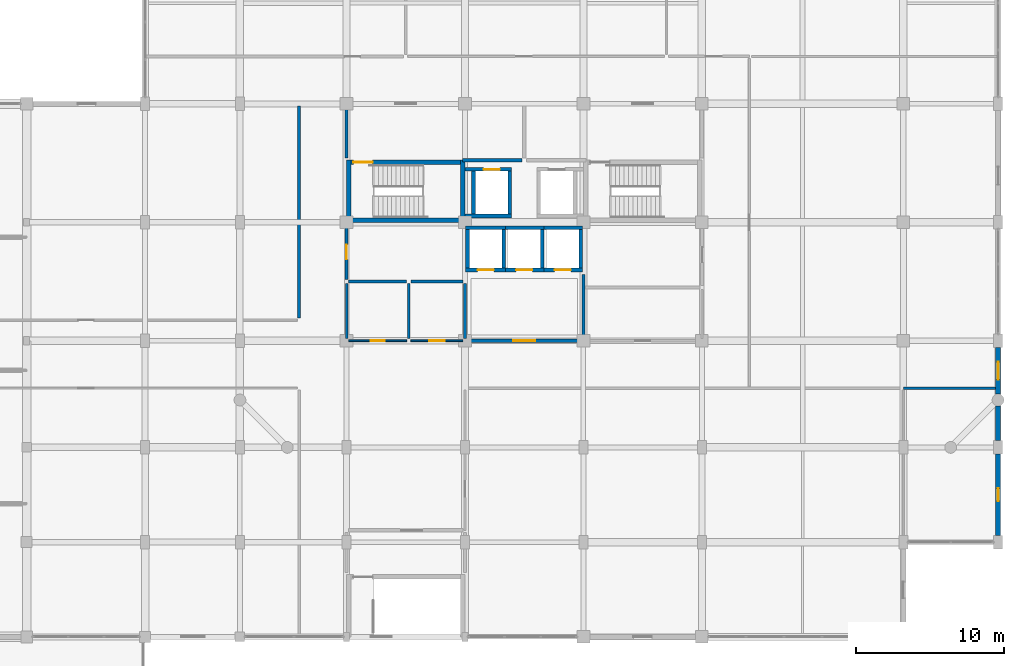
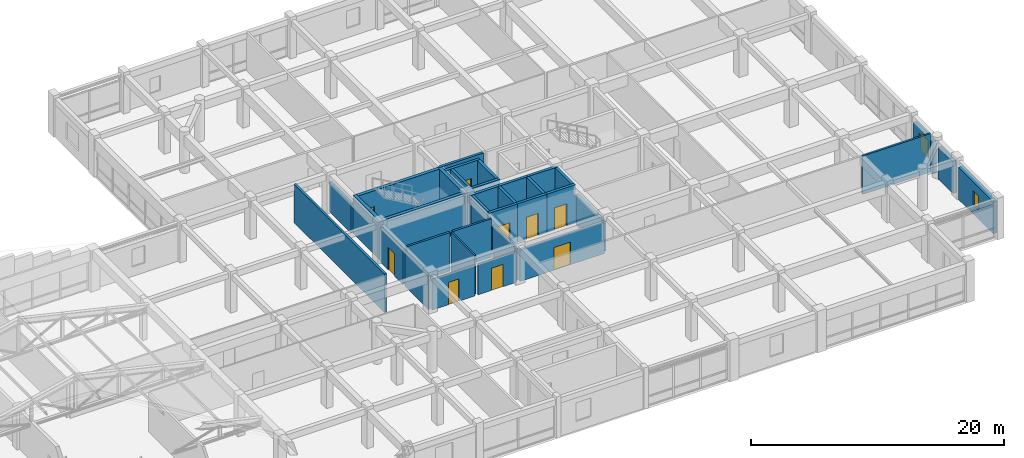
# One storey, part 22 of 27: 35 walls, 9 doors, 2 windows, 11 openings.
"""IFC4 building model written with IfcOpenShell, lengths in metres."""

import ifcopenshell
import ifcopenshell.guid

model = None  # the IFC model being written
_history = None  # IfcOwnerHistory: only IFC2X3 demands one
_inside = {}  # id of a spatial element -> (the spatial element, [elements in it])
_under = {}  # id of a project, library or spatial element -> (it, [spatial elements below it])
_declared = {}  # id of a project -> (the project, [libraries it declares])
_typed = {}  # id of a type object -> (the type object, [elements of that type])
_made_of = {}  # id of a material, layer set ... -> (it, [elements and type objects made of it])


def new_model(schema):
    """Start an empty IFC model of exactly this schema.

    Asked for "IFC4X3", IfcOpenShell would pick the latest addendum, in which some entities
    have other attributes; the version numbers below select the first issue.
    IFC2X3 requires an IfcOwnerHistory on every rooted entity: one is made here for all.
    """
    global model, _history
    if schema == "IFC4X3":
        model = ifcopenshell.file(schema_version=(4, 3, 0, 0))
    else:
        model = ifcopenshell.file(schema=schema)
    _inside.clear()
    _under.clear()
    _declared.clear()
    _typed.clear()
    _made_of.clear()
    _history = None
    if model.schema == "IFC2X3":
        org = make("IfcOrganization", Name="unknown")
        user = make(
            "IfcPersonAndOrganization",
            ThePerson=make("IfcPerson", FamilyName="unknown"),
            TheOrganization=org,
        )
        app = make(
            "IfcApplication",
            ApplicationDeveloper=org,
            Version="unknown",
            ApplicationFullName="unknown",
            ApplicationIdentifier="unknown",
        )
        _history = make(
            "IfcOwnerHistory",
            OwningUser=user,
            OwningApplication=app,
            ChangeAction="ADDED",
            CreationDate=0,
        )
    return model


def make(cls, **values):
    """One entity of the class cls with the attributes given. An attribute that is None is left unset."""
    return model.create_entity(
        cls, **{name: value for name, value in values.items() if value is not None}
    )


def rooted(cls, **values):
    """An entity with a GlobalId (a new one), such as an element, a storey or a relation."""
    return make(cls, GlobalId=ifcopenshell.guid.new(), OwnerHistory=_history, **values)


def si_unit(unit_type, name, prefix=None):
    """IfcSIUnit, for example si_unit("LENGTHUNIT", "METRE", prefix="MILLI")."""
    return make("IfcSIUnit", UnitType=unit_type, Prefix=prefix, Name=name)


def assignment(units):
    """IfcUnitAssignment: the units of a project."""
    return None if units is None else make("IfcUnitAssignment", Units=units)


def point(xyz):
    """IfcCartesianPoint."""
    return None if xyz is None else make("IfcCartesianPoint", Coordinates=xyz)


def direction(xyz):
    """IfcDirection."""
    return None if xyz is None else make("IfcDirection", DirectionRatios=xyz)


def frame(location, z_axis=None, x_axis=None):
    """IfcAxis2Placement3D, a coordinate frame: its origin and axes. An axis left out is left unset."""
    return make(
        "IfcAxis2Placement3D",
        Location=point(location),
        Axis=direction(z_axis),
        RefDirection=direction(x_axis),
    )


def frame_2d(location, x_axis=None):
    """IfcAxis2Placement2D, a coordinate frame in the plane: its origin and x axis."""
    return make(
        "IfcAxis2Placement2D", Location=point(location), RefDirection=direction(x_axis)
    )


def origin():
    """The frame at (0, 0, 0) with its axes left unset."""
    return frame((0.0, 0.0, 0.0))


def place(relative_to, where):
    """IfcLocalPlacement: puts the frame where relative to a parent placement (None: the world)."""
    return make(
        "IfcLocalPlacement", PlacementRelTo=relative_to, RelativePlacement=where
    )


def context(
    kind, dimensions, precision=None, world=None, true_north=None, identifier=None
):
    """IfcGeometricRepresentationContext, for example the 3D "Model" context."""
    return make(
        "IfcGeometricRepresentationContext",
        ContextIdentifier=identifier,
        ContextType=kind,
        CoordinateSpaceDimension=dimensions,
        Precision=precision,
        WorldCoordinateSystem=world,
        TrueNorth=true_north,
    )


def subcontext(parent, identifier, kind, view, scale=None):
    """IfcGeometricRepresentationSubContext, for example "Body" below "Model"."""
    return make(
        "IfcGeometricRepresentationSubContext",
        ContextIdentifier=identifier,
        ContextType=kind,
        ParentContext=parent,
        TargetScale=scale,
        TargetView=view,
    )


def project(units=None, contexts=None):
    """IfcProject with its units and contexts."""
    return rooted(
        "IfcProject",
        Name="project",
        RepresentationContexts=contexts,
        UnitsInContext=assignment(units),
    )


def spatial(cls, under=None, at=None, **own):
    """A site, building, storey or space (cls), placed at a placement, below another one or the project."""
    s = rooted(cls, ObjectPlacement=at, **own)
    if under is not None:
        _under.setdefault(under.id(), (under, []))[1].append(s)
    return s


def profile(cls, at=None, kind="AREA", **sizes):
    """A parametric profile (cls). Its sizes go by their IFC names, for example OverallWidth=200.0."""
    return make(cls, ProfileType=kind, Position=at, **sizes)


def rectangle(**sizes):
    """IfcRectangleProfileDef."""
    return profile("IfcRectangleProfileDef", **sizes)


def extrude(swept, where, along, depth):
    """IfcExtrudedAreaSolid: the profile swept, set in the frame where, extruded along a direction by depth."""
    return make(
        "IfcExtrudedAreaSolid",
        SweptArea=swept,
        Position=where,
        ExtrudedDirection=direction(along),
        Depth=depth,
    )


def shape(context_of_items, identifier, shape_type, items):
    """IfcShapeRepresentation: the items that make up one representation, for example the "Body"."""
    return make(
        "IfcShapeRepresentation",
        ContextOfItems=context_of_items,
        RepresentationIdentifier=identifier,
        RepresentationType=shape_type,
        Items=items,
    )


def material(Name=None, Category=None):
    """IfcMaterial."""
    return make("IfcMaterial", Name=Name, Category=Category)


def layer(
    of_material, thickness, ventilated=None, Name=None, Category=None, Priority=None
):
    """IfcMaterialLayer: one layer of a wall or slab, of a material (None: an air gap)."""
    return make(
        "IfcMaterialLayer",
        Material=of_material,
        LayerThickness=thickness,
        IsVentilated=ventilated,
        Name=Name,
        Category=Category,
        Priority=Priority,
    )


def layer_set(layers, Name=None):
    """IfcMaterialLayerSet."""
    return make("IfcMaterialLayerSet", MaterialLayers=layers, LayerSetName=Name)


def made_of(thing, what):
    """Note that an element or type object is made of a material, layer set ...; save() writes the relation."""
    if what is not None:
        _made_of.setdefault(what.id(), (what, []))[1].append(thing)
    return thing


def type_object(cls, material=None, **own):
    """A type object (cls), such as IfcWallType, which elements share."""
    return made_of(rooted(cls, **own), material)


def element(
    cls,
    number,
    at=None,
    inside=None,
    cuts=None,
    type_object=None,
    material=None,
    context=None,
    identifier="Body",
    shape_type=None,
    held_by="IfcProductDefinitionShape",
    body=None,
    shapes=None,
    **own,
):
    """One element of the class cls, such as IfcWall. Its Tag is "e" and its number.

    at: its placement. inside: the storey or other place that contains it. cuts: it is an
    opening in that element (IfcRelVoidsElement). A single representation is given by context,
    identifier, shape_type and body (its items); several are given by shapes. held_by: the class
    of the entity that holds the representations. save() writes the other relations.
    """
    e = rooted(cls, Tag="e%d" % number, ObjectPlacement=at, **own)
    if body is not None:
        shapes = [shape(context, identifier, shape_type, body)]
    if shapes is not None:
        e.Representation = make(held_by, Representations=shapes)
    if inside is not None:
        _inside.setdefault(inside.id(), (inside, []))[1].append(e)
    if cuts is not None:
        rooted(
            "IfcRelVoidsElement", RelatingBuildingElement=cuts, RelatedOpeningElement=e
        )
    if type_object is not None:
        _typed.setdefault(type_object.id(), (type_object, []))[1].append(e)
    return made_of(e, material)


def fill(opening, filler):
    """IfcRelFillsElement: the door or window that sits in an opening."""
    return rooted(
        "IfcRelFillsElement",
        RelatingOpeningElement=opening,
        RelatedBuildingElement=filler,
    )


def aggregate(whole, parts):
    """IfcRelAggregates: a whole, such as a stair, and the parts it consists of."""
    return rooted("IfcRelAggregates", RelatingObject=whole, RelatedObjects=parts)


def save(model, path):
    """Write the relations noted so far, then the file.

    IfcRelAggregates (storeys below a building ...), IfcRelContainedInSpatialStructure (elements
    in a storey), IfcRelDefinesByType, IfcRelAssociatesMaterial and IfcRelDeclares: one each for
    every whole, place, type object, material and project.
    """
    for whole, parts in _under.values():
        aggregate(whole, parts)
    for where, things in _inside.values():
        rooted(
            "IfcRelContainedInSpatialStructure",
            RelatedElements=things,
            RelatingStructure=where,
        )
    for kind, things in _typed.values():
        rooted("IfcRelDefinesByType", RelatedObjects=things, RelatingType=kind)
    for what, things in _made_of.values():
        rooted("IfcRelAssociatesMaterial", RelatedObjects=things, RelatingMaterial=what)
    for by, libraries in _declared.values():
        rooted("IfcRelDeclares", RelatingContext=by, RelatedDefinitions=libraries)
    model.write(path)


model = new_model("IFC4")

# Units and contexts
model_context = context("Model", 3, precision=1e-05, world=origin(), true_north=direction((0.0, 1.0)))
body_context = subcontext(model_context, "Body", "Model", "MODEL_VIEW")
ifc_project = project(units=[si_unit("LENGTHUNIT", "METRE"), si_unit("AREAUNIT", "SQUARE_METRE"), si_unit("VOLUMEUNIT", "CUBIC_METRE"), si_unit("PLANEANGLEUNIT", "RADIAN"), si_unit("MASSUNIT", "GRAM", prefix="KILO")], contexts=[model_context])

# Site, building, storey
site_placement = place(None, origin())
site = spatial("IfcSite", under=ifc_project, at=site_placement, CompositionType="ELEMENT")
building_placement = place(site_placement, origin())
building = spatial("IfcBuilding", under=site, at=building_placement, Name="Vellmiral Cinema and Media Centre", CompositionType="ELEMENT")
storey_placement = place(building_placement, frame((0.0, 0.0, 19.800048828125)))
storey = spatial("IfcBuildingStorey", under=building, at=storey_placement, Name="L04", CompositionType="ELEMENT", Elevation=19.800048828125)

# Wall, opening, door
ifc_material_1 = material(Name="Concrete C40/50", Category="concrete")
ifc_layer_1 = layer(ifc_material_1, 0.2099609375, Name="Concrete C40/50")
ifc_layer_set_1 = layer_set([ifc_layer_1], Name="Concrete C40/50")
wall_type_1 = type_object("IfcWallType", Name="WL-COMP-210", PredefinedType="SOLIDWALL", material=ifc_layer_set_1)
wall_1_placement = place(storey_placement, frame((124.0, 83.340087890625, 0.0), z_axis=(0.0, 0.0, 1.0), x_axis=(0.0, 1.0, 0.0)))
wall_1 = element("IfcWall", 1, at=wall_1_placement, inside=storey, type_object=wall_type_1, Name="Electrical and Telecom Riser Room Wall W", PredefinedType="SOLIDWALL", context=body_context, shape_type="SweptSolid", body=[
    extrude(rectangle(XDim=3.719970703125, YDim=0.2099609375, at=frame_2d((1.85986328125, 0.0))), origin(), (0.0, 0.0, 1.0), 3.244873046875),
])
opening_1_placement = place(wall_1_placement, frame((1.360107421875, 0.0, 0.0)))
opening_1 = element("IfcOpeningElement", 2, at=opening_1_placement, cuts=wall_1, Name="Opening D-FD30B", PredefinedType="OPENING", context=body_context, shape_type="SweptSolid", body=[
    extrude(rectangle(XDim=1.0, YDim=2.14990234375, at=frame_2d((0.5, 1.074951171875))), frame((0.0, 0.116943359375, 0.0), z_axis=(0.0, -1.0, 0.0), x_axis=(1.0, 0.0, 0.0)), (0.0, 0.0, 1.0), 0.23388671875),
])
ifc_material_2 = material(Name="Steel Riser Fire Door", Category="steel")
door_type_1 = type_object("IfcDoorType", Name="DR-FD30-1000x2150", OperationType="NOTDEFINED", PredefinedType="DOOR", material=ifc_material_2)
door_1_placement = place(opening_1_placement, frame((1.0, 0.0, 0.0), z_axis=(0.0, 0.0, 1.0), x_axis=(-1.0, 0.0, 0.0)))
door_1 = element("IfcDoor", 3, at=door_1_placement, inside=storey, type_object=door_type_1, Name="Electrical and Telecom Riser Room Door", OperationType="SINGLE_SWING_LEFT", OverallHeight=2.14990234375, OverallWidth=1.0, PredefinedType="DOOR", context=body_context, shape_type="SweptSolid", body=[
    extrude(rectangle(XDim=1.0, YDim=2.14990234375, at=frame_2d((0.5, 1.074951171875))), frame((0.0, 0.02490234375, 0.0), z_axis=(0.0, -1.0, 0.0), x_axis=(1.0, 0.0, 0.0)), (0.0, 0.0, 1.0), 0.050048828125),
])
fill(opening_1, door_1)

# Walls
ifc_material_3 = material(Name="Concrete C40/50", Category="concrete")
ifc_layer_2 = layer(ifc_material_3, 0.300048828125, Name="Concrete C40/50")
ifc_layer_set_2 = layer_set([ifc_layer_2], Name="Concrete C40/50")
wall_type_2 = type_object("IfcWallType", Name="WL-CORE-300", PredefinedType="SHEAR", material=ifc_layer_set_2)
for number, where, z_axis, x_axis, name in (
    (4, (124.14990234375, 87.199951171875, 0.0), (0.0, 0.0, 1.0), (0.0, 1.0, 0.0), "Stair Core Wall ST-T1 L04-W"),
    (5, (131.85009765625, 87.199951171875, 0.0), (0.0, 0.0, 1.0), (0.0, 1.0, 0.0), "Stair Core Wall ST-T1 L04-E"),
):
    element("IfcWall", number, at=place(storey_placement, frame(where, z_axis=z_axis, x_axis=x_axis)), inside=storey, type_object=wall_type_2, Name=name, PredefinedType="SHEAR", context=body_context, shape_type="SweptSolid", body=[
        extrude(rectangle(XDim=4.199951171875, YDim=0.300048828125, at=frame_2d((2.10009765625, 0.0))), origin(), (0.0, 0.0, 1.0), 3.719970703125),
    ])
wall_2_placement = place(storey_placement, frame((124.300048828125, 87.35009765625, 0.0), z_axis=(0.0, 0.0, 1.0), x_axis=(1.0, 0.0, 0.0)))
element("IfcWall", 6, at=wall_2_placement, inside=storey, type_object=wall_type_2, Name="Stair Core Wall ST-T1 L04-S", PredefinedType="SHEAR", context=body_context, shape_type="SweptSolid", body=[
    extrude(rectangle(XDim=7.39990234375, YDim=0.300048828125, at=frame_2d((3.699951171875, 0.0))), origin(), (0.0, 0.0, 1.0), 3.719970703125),
])

# Wall, opening, door
wall_3_placement = place(storey_placement, frame((124.300048828125, 91.25, 0.0), z_axis=(0.0, 0.0, 1.0), x_axis=(1.0, 0.0, 0.0)))
wall_3 = element("IfcWall", 7, at=wall_3_placement, inside=storey, type_object=wall_type_2, Name="Stair Core Wall ST-T1 L04-N", PredefinedType="SHEAR", context=body_context, shape_type="SweptSolid", body=[
    extrude(rectangle(XDim=7.39990234375, YDim=0.300048828125, at=frame_2d((3.699951171875, 0.0))), origin(), (0.0, 0.0, 1.0), 3.719970703125),
])
opening_2_placement = place(wall_3_placement, frame((0.159912109375, 0.0, 0.0)))
opening_2 = element("IfcOpeningElement", 8, at=opening_2_placement, cuts=wall_3, Name="Opening D-FD30A", PredefinedType="OPENING", context=body_context, shape_type="SweptSolid", body=[
    extrude(rectangle(XDim=1.300048828125, YDim=2.179931640625, at=frame_2d((0.64990234375, 1.08984375))), frame((0.0, 0.162109375, 0.0), z_axis=(0.0, -1.0, 0.0), x_axis=(1.0, 0.0, 0.0)), (0.0, 0.0, 1.0), 0.323974609375),
])
ifc_material_4 = material(Name="Steel Stair Fire Door", Category="steel")
door_type_2 = type_object("IfcDoorType", Name="DR-FD30-1300x2180", OperationType="NOTDEFINED", PredefinedType="DOOR", material=ifc_material_4)
door_2_placement = place(opening_2_placement, frame((1.300048828125, 0.0, 0.0), z_axis=(0.0, 0.0, 1.0), x_axis=(-1.0, 0.0, 0.0)))
door_2 = element("IfcDoor", 9, at=door_2_placement, inside=storey, type_object=door_type_2, Name="Protected Stair Door ST-T1 L04", OperationType="SINGLE_SWING_RIGHT", OverallHeight=2.179931640625, OverallWidth=1.300048828125, PredefinedType="DOOR", context=body_context, shape_type="SweptSolid", body=[
    extrude(rectangle(XDim=1.300048828125, YDim=2.179931640625, at=frame_2d((0.64990234375, 1.08984375))), frame((0.0, 0.02490234375, 0.0), z_axis=(0.0, -1.0, 0.0), x_axis=(1.0, 0.0, 0.0)), (0.0, 0.0, 1.0), 0.050048828125),
])
fill(opening_2, door_2)

# Wall
ifc_material_5 = material(Name="Polychrome Glazed Ceramic Cladding", Category="masonry")
ifc_layer_3 = layer(ifc_material_5, 0.320068359375, Name="Polychrome Glazed Ceramic Cladding")
ifc_layer_set_3 = layer_set([ifc_layer_3], Name="Polychrome Glazed Ceramic Cladding")
wall_type_3 = type_object("IfcWallType", Name="WL-EXT-BRICK-320", PredefinedType="SOLIDWALL", material=ifc_layer_set_3)
wall_4_placement = place(storey_placement, frame((168.0, 72.449951171875, 0.0), z_axis=(0.0, 0.0, 1.0), x_axis=(0.0, 1.0, 0.0)))
element("IfcWall", 10, at=wall_4_placement, inside=storey, type_object=wall_type_3, Name="Exterior Facade Wall L04-013", PredefinedType="SOLIDWALL", context=body_context, shape_type="SweptSolid", body=[
    extrude(rectangle(XDim=2.35009765625, YDim=0.320068359375, at=frame_2d((1.175048828125, 0.0))), origin(), (0.0, 0.0, 1.0), 3.0849609375),
])

# Wall, opening, window
ifc_material_6 = material(Name="Vosges Red Sandstone Masonry", Category="masonry")
ifc_layer_4 = layer(ifc_material_6, 0.340087890625, Name="Vosges Red Sandstone Masonry")
ifc_layer_set_4 = layer_set([ifc_layer_4], Name="Vosges Red Sandstone Masonry")
wall_type_4 = type_object("IfcWallType", Name="WL-EXT-SAND-340", PredefinedType="SOLIDWALL", material=ifc_layer_set_4)
wall_5_placement = place(storey_placement, frame((168.0, 66.050048828125, 0.0), z_axis=(0.0, 0.0, 1.0), x_axis=(0.0, 1.0, 0.0)))
wall_5 = element("IfcWall", 11, at=wall_5_placement, inside=storey, type_object=wall_type_4, Name="Exterior Facade Wall L04-012", PredefinedType="SOLIDWALL", context=body_context, shape_type="SweptSolid", body=[
    extrude(rectangle(XDim=5.5, YDim=0.340087890625, at=frame_2d((2.75, 0.0))), origin(), (0.0, 0.0, 1.0), 3.099853515625),
])
opening_3_placement = place(wall_5_placement, frame((2.324951171875, 0.0, 0.89990234375)))
opening_3 = element("IfcOpeningElement", 12, at=opening_3_placement, cuts=wall_5, Name="Opening WN-13", PredefinedType="OPENING", context=body_context, shape_type="SweptSolid", body=[
    extrude(rectangle(XDim=0.85009765625, YDim=1.35009765625, at=frame_2d((0.425048828125, 0.675048828125))), frame((0.0, 0.18212890625, 0.0), z_axis=(0.0, -1.0, 0.0), x_axis=(1.0, 0.0, 0.0)), (0.0, 0.0, 1.0), 0.364013671875),
])
ifc_material_7 = material(Name="Thermally Broken Aluminium Triple Glazing", Category="aluminium")
window_type_1 = type_object("IfcWindowType", Name="WN-0850x1350", PartitioningType="SINGLE_PANEL", PredefinedType="WINDOW", material=ifc_material_7)
window_1_placement = place(opening_3_placement, origin())
window_1 = element("IfcWindow", 13, at=window_1_placement, inside=storey, type_object=window_type_1, Name="Window L04-012", OverallHeight=1.35009765625, OverallWidth=0.85009765625, PartitioningType="SINGLE_PANEL", PredefinedType="WINDOW", context=body_context, shape_type="SweptSolid", body=[
    extrude(rectangle(XDim=0.85009765625, YDim=1.35009765625, at=frame_2d((0.425048828125, 0.675048828125))), frame((0.0, 0.030029296875, 0.0), z_axis=(0.0, -1.0, 0.0), x_axis=(1.0, 0.0, 0.0)), (0.0, 0.0, 1.0), 0.06005859375),
])
fill(opening_3, window_1)

wall_6_placement = place(storey_placement, frame((168.0, 75.60009765625, 0.0), z_axis=(0.0, 0.0, 1.0), x_axis=(0.0, 1.0, 0.0)))
wall_6 = element("IfcWall", 14, at=wall_6_placement, inside=storey, type_object=wall_type_4, Name="Exterior Facade Wall L04-014", PredefinedType="SOLIDWALL", context=body_context, shape_type="SweptSolid", body=[
    extrude(rectangle(XDim=3.14990234375, YDim=0.340087890625, at=frame_2d((1.574951171875, 0.0))), origin(), (0.0, 0.0, 1.0), 3.0849609375),
])
opening_4_placement = place(wall_6_placement, frame((0.97509765625, 0.0, 0.89990234375)))
opening_4 = element("IfcOpeningElement", 15, at=opening_4_placement, cuts=wall_6, Name="Opening WN-10", PredefinedType="OPENING", context=body_context, shape_type="SweptSolid", body=[
    extrude(rectangle(XDim=1.199951171875, YDim=1.699951171875, at=frame_2d((0.60009765625, 0.85009765625))), frame((0.0, 0.18212890625, 0.0), z_axis=(0.0, -1.0, 0.0), x_axis=(1.0, 0.0, 0.0)), (0.0, 0.0, 1.0), 0.364013671875),
])
ifc_material_8 = material(Name="Thermally Broken Aluminium Triple Glazing", Category="aluminium")
window_type_2 = type_object("IfcWindowType", Name="WN-1200x1700", PartitioningType="SINGLE_PANEL", PredefinedType="WINDOW", material=ifc_material_8)
window_2_placement = place(opening_4_placement, origin())
window_2 = element("IfcWindow", 16, at=window_2_placement, inside=storey, type_object=window_type_2, Name="Window L04-014", OverallHeight=1.699951171875, OverallWidth=1.199951171875, PartitioningType="SINGLE_PANEL", PredefinedType="WINDOW", context=body_context, shape_type="SweptSolid", body=[
    extrude(rectangle(XDim=1.199951171875, YDim=1.699951171875, at=frame_2d((0.60009765625, 0.85009765625))), frame((0.0, 0.030029296875, 0.0), z_axis=(0.0, -1.0, 0.0), x_axis=(1.0, 0.0, 0.0)), (0.0, 0.0, 1.0), 0.06005859375),
])
fill(opening_4, window_2)

# Walls
ifc_material_9 = material(Name="Concrete C40/50", Category="concrete")
ifc_layer_5 = layer(ifc_material_9, 0.22998046875, Name="Concrete C40/50")
ifc_layer_set_5 = layer_set([ifc_layer_5], Name="Concrete C40/50")
wall_type_5 = type_object("IfcWallType", Name="WL-FFL-230", PredefinedType="SOLIDWALL", material=ifc_layer_set_5)
wall_7_placement = place(storey_placement, frame((131.840087890625, 91.39990234375, 0.0), z_axis=(0.0, 0.0, 1.0), x_axis=(1.0, 0.0, 0.0)))
element("IfcWall", 17, at=wall_7_placement, inside=storey, type_object=wall_type_5, Name="Firefighting Lobby West Wall S", PredefinedType="SOLIDWALL", context=body_context, shape_type="SweptSolid", body=[
    extrude(rectangle(XDim=4.02001953125, YDim=0.22998046875, at=frame_2d((2.010009765625, 0.0))), origin(), (0.0, 0.0, 1.0), 3.719970703125),
])
wall_8_placement = place(storey_placement, frame((124.0, 91.5400390625, 0.0), z_axis=(0.0, 0.0, 1.0), x_axis=(0.0, 1.0, 0.0)))
element("IfcWall", 18, at=wall_8_placement, inside=storey, type_object=wall_type_5, Name="Firefighting Lobby West Wall W", PredefinedType="SOLIDWALL", context=body_context, shape_type="SweptSolid", body=[
    extrude(rectangle(XDim=3.52001953125, YDim=0.22998046875, at=frame_2d((1.760009765625, 0.0))), origin(), (0.0, 0.0, 1.0), 2.844970703125),
])

# Wall, opening, door
wall_9_placement = place(storey_placement, frame((132.139892578125, 79.199951171875, 0.0), z_axis=(0.0, 0.0, 1.0), x_axis=(1.0, 0.0, 0.0)))
wall_9 = element("IfcWall", 19, at=wall_9_placement, inside=storey, type_object=wall_type_5, Name="Tower Passenger Lift Lobby Wall S", PredefinedType="SOLIDWALL", context=body_context, shape_type="SweptSolid", body=[
    extrude(rectangle(XDim=7.72021484375, YDim=0.22998046875, at=frame_2d((3.860107421875, 0.0))), origin(), (0.0, 0.0, 1.0), 3.044921875),
])
opening_5_placement = place(wall_9_placement, frame((3.110107421875, 0.0, 0.0)))
opening_5 = element("IfcOpeningElement", 20, at=opening_5_placement, cuts=wall_9, Name="Opening D-FD30", PredefinedType="OPENING", context=body_context, shape_type="SweptSolid", body=[
    extrude(rectangle(XDim=1.5, YDim=2.199951171875, at=frame_2d((0.75, 1.10009765625))), frame((0.0, 0.126953125, 0.0), z_axis=(0.0, -1.0, 0.0), x_axis=(1.0, 0.0, 0.0)), (0.0, 0.0, 1.0), 0.25390625),
])
ifc_material_10 = material(Name="Timber-Core Fire Door", Category="wood")
door_type_3 = type_object("IfcDoorType", Name="DR-FD30-1500x2200", OperationType="DOUBLE_DOOR_SINGLE_SWING", PredefinedType="DOOR", material=ifc_material_10)
door_3_placement = place(opening_5_placement, frame((1.5, 0.0, 0.0), z_axis=(0.0, 0.0, 1.0), x_axis=(-1.0, 0.0, 0.0)))
door_3 = element("IfcDoor", 21, at=door_3_placement, inside=storey, type_object=door_type_3, Name="Tower Passenger Lift Lobby Door", OperationType="DOUBLE_DOOR_SINGLE_SWING", OverallHeight=2.199951171875, OverallWidth=1.5, PredefinedType="DOOR", context=body_context, shape_type="SweptSolid", body=[
    extrude(rectangle(XDim=1.5, YDim=2.199951171875, at=frame_2d((0.75, 1.10009765625))), frame((0.0, 0.02490234375, 0.0), z_axis=(0.0, -1.0, 0.0), x_axis=(1.0, 0.0, 0.0)), (0.0, 0.0, 1.0), 0.050048828125),
])
fill(opening_5, door_3)

# Wall
wall_10_placement = place(storey_placement, frame((140.0, 79.340087890625, 0.0), z_axis=(0.0, 0.0, 1.0), x_axis=(0.0, 1.0, 0.0)))
element("IfcWall", 22, at=wall_10_placement, inside=storey, type_object=wall_type_5, Name="Tower Passenger Lift Lobby Wall E", PredefinedType="SOLIDWALL", context=body_context, shape_type="SweptSolid", body=[
    extrude(rectangle(XDim=4.31982421875, YDim=0.22998046875, at=frame_2d((2.159912109375, 0.0))), origin(), (0.0, 0.0, 1.0), 2.945068359375),
])

# Wall, opening, door
ifc_material_11 = material(Name="Gypsum Plasterboard")
ifc_layer_6 = layer(ifc_material_11, 0.02490234375, Name="Gypsum Plasterboard", Category="gypsum")
ifc_material_12 = material(Name="Mineral Wool Acoustic Insulation", Category="insulation")
ifc_layer_7 = layer(ifc_material_12, 0.06005859375, Name="Mineral Wool Acoustic Insulation", Category="insulation")
ifc_layer_8 = layer(ifc_material_11, 0.02490234375, Name="Gypsum Plasterboard", Category="gypsum")
ifc_layer_set_6 = layer_set([ifc_layer_6, ifc_layer_7, ifc_layer_8], Name="Gypsum Plasterboard")
wall_type_6 = type_object("IfcWallType", Name="WL-PART-110", PredefinedType="PARTITIONING", material=ifc_layer_set_6)
wall_11_placement = place(storey_placement, frame((124.139892578125, 79.199951171875, 0.0), z_axis=(0.0, 0.0, 1.0), x_axis=(1.0, 0.0, 0.0)))
wall_11 = element("IfcWall", 23, at=wall_11_placement, inside=storey, type_object=wall_type_6, Name="Staff WC Wall S", PredefinedType="PARTITIONING", context=body_context, shape_type="SweptSolid", body=[
    extrude(rectangle(XDim=3.920166015625, YDim=0.110107421875, at=frame_2d((1.9599609375, 0.0))), origin(), (0.0, 0.0, 1.0), 2.994873046875),
])
opening_6_placement = place(wall_11_placement, frame((1.485107421875, 0.0, 0.0)))
opening_6 = element("IfcOpeningElement", 24, at=opening_6_placement, cuts=wall_11, Name="Opening D-I09", PredefinedType="OPENING", context=body_context, shape_type="SweptSolid", body=[
    extrude(rectangle(XDim=0.949951171875, YDim=2.14990234375, at=frame_2d((0.47509765625, 1.074951171875))), frame((0.0, 0.06689453125, 0.0), z_axis=(0.0, -1.0, 0.0), x_axis=(1.0, 0.0, 0.0)), (0.0, 0.0, 1.0), 0.134033203125),
])
ifc_material_13 = material(Name="Moisture-Resistant Timber Door", Category="wood")
door_type_4 = type_object("IfcDoorType", Name="DR-INT-950x2150", OperationType="NOTDEFINED", PredefinedType="DOOR", material=ifc_material_13)
door_4_placement = place(opening_6_placement, origin())
door_4 = element("IfcDoor", 25, at=door_4_placement, inside=storey, type_object=door_type_4, Name="Staff WC Door", OperationType="SINGLE_SWING_LEFT", OverallHeight=2.14990234375, OverallWidth=0.949951171875, PredefinedType="DOOR", context=body_context, shape_type="SweptSolid", body=[
    extrude(rectangle(XDim=0.949951171875, YDim=2.14990234375, at=frame_2d((0.47509765625, 1.074951171875))), frame((0.0, 0.02490234375, 0.0), z_axis=(0.0, -1.0, 0.0), x_axis=(1.0, 0.0, 0.0)), (0.0, 0.0, 1.0), 0.050048828125),
])
fill(opening_6, door_4)

wall_12_placement = place(storey_placement, frame((128.340087890625, 79.199951171875, 0.0), z_axis=(0.0, 0.0, 1.0), x_axis=(1.0, 0.0, 0.0)))
wall_12 = element("IfcWall", 26, at=wall_12_placement, inside=storey, type_object=wall_type_6, Name="Accessible WC Wall S", PredefinedType="PARTITIONING", context=body_context, shape_type="SweptSolid", body=[
    extrude(rectangle(XDim=3.52001953125, YDim=0.110107421875, at=frame_2d((1.760009765625, 0.0))), origin(), (0.0, 0.0, 1.0), 2.994873046875),
])
opening_7_placement = place(wall_12_placement, frame((1.235107421875, 0.0, 0.0)))
opening_7 = element("IfcOpeningElement", 27, at=opening_7_placement, cuts=wall_12, Name="Opening D-I10", PredefinedType="OPENING", context=body_context, shape_type="SweptSolid", body=[
    extrude(rectangle(XDim=1.050048828125, YDim=2.14990234375, at=frame_2d((0.52490234375, 1.074951171875))), frame((0.0, 0.06689453125, 0.0), z_axis=(0.0, -1.0, 0.0), x_axis=(1.0, 0.0, 0.0)), (0.0, 0.0, 1.0), 0.134033203125),
])
ifc_material_14 = material(Name="Barrier-Free Timber Door", Category="wood")
door_type_5 = type_object("IfcDoorType", Name="DR-ACC-1050x2150", OperationType="NOTDEFINED", PredefinedType="DOOR", material=ifc_material_14)
door_5_placement = place(opening_7_placement, origin())
door_5 = element("IfcDoor", 28, at=door_5_placement, inside=storey, type_object=door_type_5, Name="Accessible WC Door", OperationType="SINGLE_SWING_RIGHT", OverallHeight=2.14990234375, OverallWidth=1.050048828125, PredefinedType="DOOR", context=body_context, shape_type="SweptSolid", body=[
    extrude(rectangle(XDim=1.050048828125, YDim=2.14990234375, at=frame_2d((0.52490234375, 1.074951171875))), frame((0.0, 0.02490234375, 0.0), z_axis=(0.0, -1.0, 0.0), x_axis=(1.0, 0.0, 0.0)), (0.0, 0.0, 1.0), 0.050048828125),
])
fill(opening_7, door_5)

# Walls
ifc_material_15 = material(Name="Gypsum Plasterboard")
ifc_layer_9 = layer(ifc_material_15, 0.02490234375, Name="Gypsum Plasterboard", Category="gypsum")
ifc_material_16 = material(Name="Mineral Wool Acoustic Insulation", Category="insulation")
ifc_layer_10 = layer(ifc_material_16, 0.10009765625, Name="Mineral Wool Acoustic Insulation", Category="insulation")
ifc_layer_11 = layer(ifc_material_15, 0.02490234375, Name="Gypsum Plasterboard", Category="gypsum")
ifc_layer_set_7 = layer_set([ifc_layer_9, ifc_layer_10, ifc_layer_11], Name="Gypsum Plasterboard")
wall_type_7 = type_object("IfcWallType", Name="WL-PART-150", PredefinedType="PARTITIONING", material=ifc_layer_set_7)
wall_13_placement = place(storey_placement, frame((128.199951171875, 79.340087890625, 0.0), z_axis=(0.0, 0.0, 1.0), x_axis=(0.0, 1.0, 0.0)))
element("IfcWall", 29, at=wall_13_placement, inside=storey, type_object=wall_type_7, Name="Staff WC Wall E", PredefinedType="PARTITIONING", context=body_context, shape_type="SweptSolid", body=[
    extrude(rectangle(XDim=3.719970703125, YDim=0.14990234375, at=frame_2d((1.85986328125, 0.0))), origin(), (0.0, 0.0, 1.0), 3.719970703125),
])
ifc_material_17 = material(Name="Gypsum Plasterboard")
ifc_layer_12 = layer(ifc_material_17, 0.02490234375, Name="Gypsum Plasterboard", Category="gypsum")
ifc_material_18 = material(Name="Mineral Wool Acoustic Insulation", Category="insulation")
ifc_layer_13 = layer(ifc_material_18, 0.1201171875, Name="Mineral Wool Acoustic Insulation", Category="insulation")
ifc_layer_14 = layer(ifc_material_17, 0.02490234375, Name="Gypsum Plasterboard", Category="gypsum")
ifc_layer_set_8 = layer_set([ifc_layer_12, ifc_layer_13, ifc_layer_14], Name="Gypsum Plasterboard")
wall_type_8 = type_object("IfcWallType", Name="WL-PART-170", PredefinedType="PARTITIONING", material=ifc_layer_set_8)
wall_14_placement = place(storey_placement, frame((124.0, 79.340087890625, 0.0), z_axis=(0.0, 0.0, 1.0), x_axis=(0.0, 1.0, 0.0)))
element("IfcWall", 30, at=wall_14_placement, inside=storey, type_object=wall_type_8, Name="Staff WC Wall W", PredefinedType="PARTITIONING", context=body_context, shape_type="SweptSolid", body=[
    extrude(rectangle(XDim=3.719970703125, YDim=0.169921875, at=frame_2d((1.85986328125, 0.0))), origin(), (0.0, 0.0, 1.0), 3.244873046875),
])
wall_15_placement = place(storey_placement, frame((132.0, 79.340087890625, 0.0), z_axis=(0.0, 0.0, 1.0), x_axis=(0.0, 1.0, 0.0)))
element("IfcWall", 31, at=wall_15_placement, inside=storey, type_object=wall_type_8, Name="Accessible WC Wall E", PredefinedType="PARTITIONING", context=body_context, shape_type="SweptSolid", body=[
    extrude(rectangle(XDim=3.719970703125, YDim=0.169921875, at=frame_2d((1.85986328125, 0.0))), origin(), (0.0, 0.0, 1.0), 3.094970703125),
])
wall_16_placement = place(storey_placement, frame((161.60009765625, 76.0, 0.0), z_axis=(0.0, 0.0, 1.0), x_axis=(1.0, 0.0, 0.0)))
element("IfcWall", 32, at=wall_16_placement, inside=storey, type_object=wall_type_8, Name="East Media Editorial Office Wall S", PredefinedType="PARTITIONING", context=body_context, shape_type="SweptSolid", body=[
    extrude(rectangle(XDim=6.21484375, YDim=0.169921875, at=frame_2d((3.107421875, 0.0))), origin(), (0.0, 0.0, 1.0), 3.719970703125),
])
ifc_material_19 = material(Name="Gypsum Plasterboard")
ifc_layer_15 = layer(ifc_material_19, 0.02490234375, Name="Gypsum Plasterboard", Category="gypsum")
ifc_material_20 = material(Name="Mineral Wool Acoustic Insulation", Category="insulation")
ifc_layer_16 = layer(ifc_material_20, 0.139892578125, Name="Mineral Wool Acoustic Insulation", Category="insulation")
ifc_layer_17 = layer(ifc_material_19, 0.02490234375, Name="Gypsum Plasterboard", Category="gypsum")
ifc_layer_set_9 = layer_set([ifc_layer_15, ifc_layer_16, ifc_layer_17], Name="Gypsum Plasterboard")
wall_type_9 = type_object("IfcWallType", Name="WL-PART-190", PredefinedType="PARTITIONING", material=ifc_layer_set_9)
wall_17_placement = place(storey_placement, frame((124.139892578125, 83.199951171875, 0.0), z_axis=(0.0, 0.0, 1.0), x_axis=(1.0, 0.0, 0.0)))
element("IfcWall", 33, at=wall_17_placement, inside=storey, type_object=wall_type_9, Name="Staff WC Wall N", PredefinedType="PARTITIONING", context=body_context, shape_type="SweptSolid", body=[
    extrude(rectangle(XDim=3.920166015625, YDim=0.18994140625, at=frame_2d((1.9599609375, 0.0))), origin(), (0.0, 0.0, 1.0), 3.719970703125),
])
wall_18_placement = place(storey_placement, frame((128.340087890625, 83.199951171875, 0.0), z_axis=(0.0, 0.0, 1.0), x_axis=(1.0, 0.0, 0.0)))
element("IfcWall", 34, at=wall_18_placement, inside=storey, type_object=wall_type_9, Name="Accessible WC Wall N", PredefinedType="PARTITIONING", context=body_context, shape_type="SweptSolid", body=[
    extrude(rectangle(XDim=3.52001953125, YDim=0.18994140625, at=frame_2d((1.760009765625, 0.0))), origin(), (0.0, 0.0, 1.0), 3.719970703125),
])
wall_19_placement = place(storey_placement, frame((120.800048828125, 80.739990234375, 0.0), z_axis=(0.0, 0.0, 1.0), x_axis=(0.0, 1.0, 0.0)))
element("IfcWall", 35, at=wall_19_placement, inside=storey, type_object=wall_type_9, Name="Bridge Assignment Conference Hall Wall E", PredefinedType="PARTITIONING", context=body_context, shape_type="SweptSolid", body=[
    extrude(rectangle(XDim=14.320068359375, YDim=0.18994140625, at=frame_2d((7.16015625, 0.0))), origin(), (0.0, 0.0, 1.0), 3.719970703125),
])
ifc_material_21 = material(Name="Concrete C40/50", Category="concrete")
ifc_layer_18 = layer(ifc_material_21, 0.25, Name="Concrete C40/50")
ifc_layer_set_10 = layer_set([ifc_layer_18], Name="Concrete C40/50")
wall_type_10 = type_object("IfcWallType", Name="WL-SHAFT-250", PredefinedType="SHEAR", material=ifc_layer_set_10)
wall_20_placement = place(storey_placement, frame((132.0, 87.625, 0.0), z_axis=(0.0, 0.0, 1.0), x_axis=(1.0, 0.0, 0.0)))
element("IfcWall", 36, at=wall_20_placement, inside=storey, type_object=wall_type_10, Name="Lift Shaft Wall LF-FF1 L04-S", PredefinedType="SHEAR", context=body_context, shape_type="SweptSolid", body=[
    extrude(rectangle(XDim=3.14990234375, YDim=0.25, at=frame_2d((1.574951171875, 0.0))), origin(), (0.0, 0.0, 1.0), 3.719970703125),
])

# Wall, opening, door
wall_21_placement = place(storey_placement, frame((132.0, 90.77490234375, 0.0), z_axis=(0.0, 0.0, 1.0), x_axis=(1.0, 0.0, 0.0)))
wall_21 = element("IfcWall", 37, at=wall_21_placement, inside=storey, type_object=wall_type_10, Name="Lift Shaft Wall LF-FF1 L04-N", PredefinedType="SHEAR", context=body_context, shape_type="SweptSolid", body=[
    extrude(rectangle(XDim=3.14990234375, YDim=0.25, at=frame_2d((1.574951171875, 0.0))), origin(), (0.0, 0.0, 1.0), 3.719970703125),
])
opening_8_placement = place(wall_21_placement, frame((1.25, 0.0, 0.0)))
opening_8 = element("IfcOpeningElement", 38, at=opening_8_placement, cuts=wall_21, Name="Opening LD-01", PredefinedType="OPENING", context=body_context, shape_type="SweptSolid", body=[
    extrude(rectangle(XDim=1.10009765625, YDim=2.14990234375, at=frame_2d((0.550048828125, 1.074951171875))), frame((0.0, 0.136962890625, 0.0), z_axis=(0.0, -1.0, 0.0), x_axis=(1.0, 0.0, 0.0)), (0.0, 0.0, 1.0), 0.27392578125),
])
ifc_material_22 = material(Name="Stainless Steel Lift Landing Door", Category="steel")
door_type_6 = type_object("IfcDoorType", Name="DR-LIFT-1100x2150", OperationType="SLIDING_TO_LEFT", PredefinedType="DOOR", material=ifc_material_22)
door_6_placement = place(opening_8_placement, origin())
door_6 = element("IfcDoor", 39, at=door_6_placement, inside=storey, type_object=door_type_6, Name="Lift Landing Door LF-FF1 L04", OperationType="SLIDING_TO_LEFT", OverallHeight=2.14990234375, OverallWidth=1.10009765625, PredefinedType="DOOR", context=body_context, shape_type="SweptSolid", body=[
    extrude(rectangle(XDim=1.10009765625, YDim=2.14990234375, at=frame_2d((0.550048828125, 1.074951171875))), frame((0.0, 0.02490234375, 0.0), z_axis=(0.0, -1.0, 0.0), x_axis=(1.0, 0.0, 0.0)), (0.0, 0.0, 1.0), 0.050048828125),
])
fill(opening_8, door_6)

# Walls
for number, where, z_axis, x_axis, name in (
    (40, (132.574951171875, 87.75, 0.0), (0.0, 0.0, 1.0), (0.0, 1.0, 0.0), "Lift Shaft Wall LF-FF1 L04-W"),
    (41, (135.02490234375, 87.75, 0.0), (0.0, 0.0, 1.0), (0.0, 1.0, 0.0), "Lift Shaft Wall LF-FF1 L04-E"),
):
    element("IfcWall", number, at=place(storey_placement, frame(where, z_axis=z_axis, x_axis=x_axis)), inside=storey, type_object=wall_type_10, Name=name, PredefinedType="SHEAR", context=body_context, shape_type="SweptSolid", body=[
        extrude(rectangle(XDim=2.89990234375, YDim=0.25, at=frame_2d((1.449951171875, 0.0))), origin(), (0.0, 0.0, 1.0), 3.719970703125),
    ])

# Wall, opening, door
wall_22_placement = place(storey_placement, frame((132.050048828125, 83.97509765625, 0.0), z_axis=(0.0, 0.0, 1.0), x_axis=(1.0, 0.0, 0.0)))
wall_22 = element("IfcWall", 42, at=wall_22_placement, inside=storey, type_object=wall_type_10, Name="Lift Shaft Wall LF-P1 L04-S", PredefinedType="SHEAR", context=body_context, shape_type="SweptSolid", body=[
    extrude(rectangle(XDim=2.699951171875, YDim=0.25, at=frame_2d((1.35009765625, 0.0))), origin(), (0.0, 0.0, 1.0), 3.719970703125),
])
opening_9_placement = place(wall_22_placement, frame((0.800048828125, 0.0, 0.0)))
opening_9 = element("IfcOpeningElement", 43, at=opening_9_placement, cuts=wall_22, Name="Opening LD-01", PredefinedType="OPENING", context=body_context, shape_type="SweptSolid", body=[
    extrude(rectangle(XDim=1.10009765625, YDim=2.14990234375, at=frame_2d((0.550048828125, 1.074951171875))), frame((0.0, 0.136962890625, 0.0), z_axis=(0.0, -1.0, 0.0), x_axis=(1.0, 0.0, 0.0)), (0.0, 0.0, 1.0), 0.27392578125),
])
door_7_placement = place(opening_9_placement, origin())
door_7 = element("IfcDoor", 44, at=door_7_placement, inside=storey, type_object=door_type_6, Name="Lift Landing Door LF-P1 L04", OperationType="SLIDING_TO_LEFT", OverallHeight=2.14990234375, OverallWidth=1.10009765625, PredefinedType="DOOR", context=body_context, shape_type="SweptSolid", body=[
    extrude(rectangle(XDim=1.10009765625, YDim=2.14990234375, at=frame_2d((0.550048828125, 1.074951171875))), frame((0.0, 0.02490234375, 0.0), z_axis=(0.0, -1.0, 0.0), x_axis=(1.0, 0.0, 0.0)), (0.0, 0.0, 1.0), 0.050048828125),
])
fill(opening_9, door_7)

# Walls
wall_23_placement = place(storey_placement, frame((132.050048828125, 86.824951171875, 0.0), z_axis=(0.0, 0.0, 1.0), x_axis=(1.0, 0.0, 0.0)))
element("IfcWall", 45, at=wall_23_placement, inside=storey, type_object=wall_type_10, Name="Lift Shaft Wall LF-P1 L04-N", PredefinedType="SHEAR", context=body_context, shape_type="SweptSolid", body=[
    extrude(rectangle(XDim=2.699951171875, YDim=0.25, at=frame_2d((1.35009765625, 0.0))), origin(), (0.0, 0.0, 1.0), 3.719970703125),
])
for number, where, z_axis, x_axis, name in (
    (46, (132.175048828125, 84.10009765625, 0.0), (0.0, 0.0, 1.0), (0.0, 1.0, 0.0), "Lift Shaft Wall LF-P1 L04-W"),
    (47, (134.625, 84.10009765625, 0.0), (0.0, 0.0, 1.0), (0.0, 1.0, 0.0), "Lift Shaft Wall LF-P1 L04-E"),
):
    element("IfcWall", number, at=place(storey_placement, frame(where, z_axis=z_axis, x_axis=x_axis)), inside=storey, type_object=wall_type_10, Name=name, PredefinedType="SHEAR", context=body_context, shape_type="SweptSolid", body=[
        extrude(rectangle(XDim=2.599853515625, YDim=0.25, at=frame_2d((1.2998046875, 0.0))), origin(), (0.0, 0.0, 1.0), 3.719970703125),
    ])

# Wall, opening, door
wall_24_placement = place(storey_placement, frame((134.64990234375, 83.97509765625, 0.0), z_axis=(0.0, 0.0, 1.0), x_axis=(1.0, 0.0, 0.0)))
wall_24 = element("IfcWall", 48, at=wall_24_placement, inside=storey, type_object=wall_type_10, Name="Lift Shaft Wall LF-P2 L04-S", PredefinedType="SHEAR", context=body_context, shape_type="SweptSolid", body=[
    extrude(rectangle(XDim=2.7001953125, YDim=0.25, at=frame_2d((1.35009765625, 0.0))), origin(), (0.0, 0.0, 1.0), 3.719970703125),
])
opening_10_placement = place(wall_24_placement, frame((0.800048828125, 0.0, 0.0)))
opening_10 = element("IfcOpeningElement", 49, at=opening_10_placement, cuts=wall_24, Name="Opening LD-01", PredefinedType="OPENING", context=body_context, shape_type="SweptSolid", body=[
    extrude(rectangle(XDim=1.10009765625, YDim=2.14990234375, at=frame_2d((0.550048828125, 1.074951171875))), frame((0.0, 0.136962890625, 0.0), z_axis=(0.0, -1.0, 0.0), x_axis=(1.0, 0.0, 0.0)), (0.0, 0.0, 1.0), 0.27392578125),
])
door_8_placement = place(opening_10_placement, origin())
door_8 = element("IfcDoor", 50, at=door_8_placement, inside=storey, type_object=door_type_6, Name="Lift Landing Door LF-P2 L04", OperationType="SLIDING_TO_LEFT", OverallHeight=2.14990234375, OverallWidth=1.10009765625, PredefinedType="DOOR", context=body_context, shape_type="SweptSolid", body=[
    extrude(rectangle(XDim=1.10009765625, YDim=2.14990234375, at=frame_2d((0.550048828125, 1.074951171875))), frame((0.0, 0.02490234375, 0.0), z_axis=(0.0, -1.0, 0.0), x_axis=(1.0, 0.0, 0.0)), (0.0, 0.0, 1.0), 0.050048828125),
])
fill(opening_10, door_8)

# Walls
wall_25_placement = place(storey_placement, frame((134.64990234375, 86.824951171875, 0.0), z_axis=(0.0, 0.0, 1.0), x_axis=(1.0, 0.0, 0.0)))
element("IfcWall", 51, at=wall_25_placement, inside=storey, type_object=wall_type_10, Name="Lift Shaft Wall LF-P2 L04-N", PredefinedType="SHEAR", context=body_context, shape_type="SweptSolid", body=[
    extrude(rectangle(XDim=2.7001953125, YDim=0.25, at=frame_2d((1.35009765625, 0.0))), origin(), (0.0, 0.0, 1.0), 3.719970703125),
])
wall_26_placement = place(storey_placement, frame((137.22509765625, 84.10009765625, 0.0), z_axis=(0.0, 0.0, 1.0), x_axis=(0.0, 1.0, 0.0)))
element("IfcWall", 52, at=wall_26_placement, inside=storey, type_object=wall_type_10, Name="Lift Shaft Wall LF-P2 L04-E", PredefinedType="SHEAR", context=body_context, shape_type="SweptSolid", body=[
    extrude(rectangle(XDim=2.599853515625, YDim=0.25, at=frame_2d((1.2998046875, 0.0))), origin(), (0.0, 0.0, 1.0), 3.719970703125),
])

# Wall, opening, door
wall_27_placement = place(storey_placement, frame((137.25, 83.97509765625, 0.0), z_axis=(0.0, 0.0, 1.0), x_axis=(1.0, 0.0, 0.0)))
wall_27 = element("IfcWall", 53, at=wall_27_placement, inside=storey, type_object=wall_type_10, Name="Lift Shaft Wall LF-P3 L04-S", PredefinedType="SHEAR", context=body_context, shape_type="SweptSolid", body=[
    extrude(rectangle(XDim=2.699951171875, YDim=0.25, at=frame_2d((1.35009765625, 0.0))), origin(), (0.0, 0.0, 1.0), 3.719970703125),
])
opening_11_placement = place(wall_27_placement, frame((0.800048828125, 0.0, 0.0)))
opening_11 = element("IfcOpeningElement", 54, at=opening_11_placement, cuts=wall_27, Name="Opening LD-01", PredefinedType="OPENING", context=body_context, shape_type="SweptSolid", body=[
    extrude(rectangle(XDim=1.10009765625, YDim=2.14990234375, at=frame_2d((0.550048828125, 1.074951171875))), frame((0.0, 0.136962890625, 0.0), z_axis=(0.0, -1.0, 0.0), x_axis=(1.0, 0.0, 0.0)), (0.0, 0.0, 1.0), 0.27392578125),
])
door_9_placement = place(opening_11_placement, origin())
door_9 = element("IfcDoor", 55, at=door_9_placement, inside=storey, type_object=door_type_6, Name="Lift Landing Door LF-P3 L04", OperationType="SLIDING_TO_LEFT", OverallHeight=2.14990234375, OverallWidth=1.10009765625, PredefinedType="DOOR", context=body_context, shape_type="SweptSolid", body=[
    extrude(rectangle(XDim=1.10009765625, YDim=2.14990234375, at=frame_2d((0.550048828125, 1.074951171875))), frame((0.0, 0.02490234375, 0.0), z_axis=(0.0, -1.0, 0.0), x_axis=(1.0, 0.0, 0.0)), (0.0, 0.0, 1.0), 0.050048828125),
])
fill(opening_11, door_9)

# Walls
wall_28_placement = place(storey_placement, frame((137.25, 86.824951171875, 0.0), z_axis=(0.0, 0.0, 1.0), x_axis=(1.0, 0.0, 0.0)))
element("IfcWall", 56, at=wall_28_placement, inside=storey, type_object=wall_type_10, Name="Lift Shaft Wall LF-P3 L04-N", PredefinedType="SHEAR", context=body_context, shape_type="SweptSolid", body=[
    extrude(rectangle(XDim=2.699951171875, YDim=0.25, at=frame_2d((1.35009765625, 0.0))), origin(), (0.0, 0.0, 1.0), 3.719970703125),
])
wall_29_placement = place(storey_placement, frame((139.824951171875, 84.10009765625, 0.0), z_axis=(0.0, 0.0, 1.0), x_axis=(0.0, 1.0, 0.0)))
element("IfcWall", 57, at=wall_29_placement, inside=storey, type_object=wall_type_10, Name="Lift Shaft Wall LF-P3 L04-E", PredefinedType="SHEAR", context=body_context, shape_type="SweptSolid", body=[
    extrude(rectangle(XDim=2.599853515625, YDim=0.25, at=frame_2d((1.2998046875, 0.0))), origin(), (0.0, 0.0, 1.0), 3.719970703125),
])

save(model, "model.ifc")
